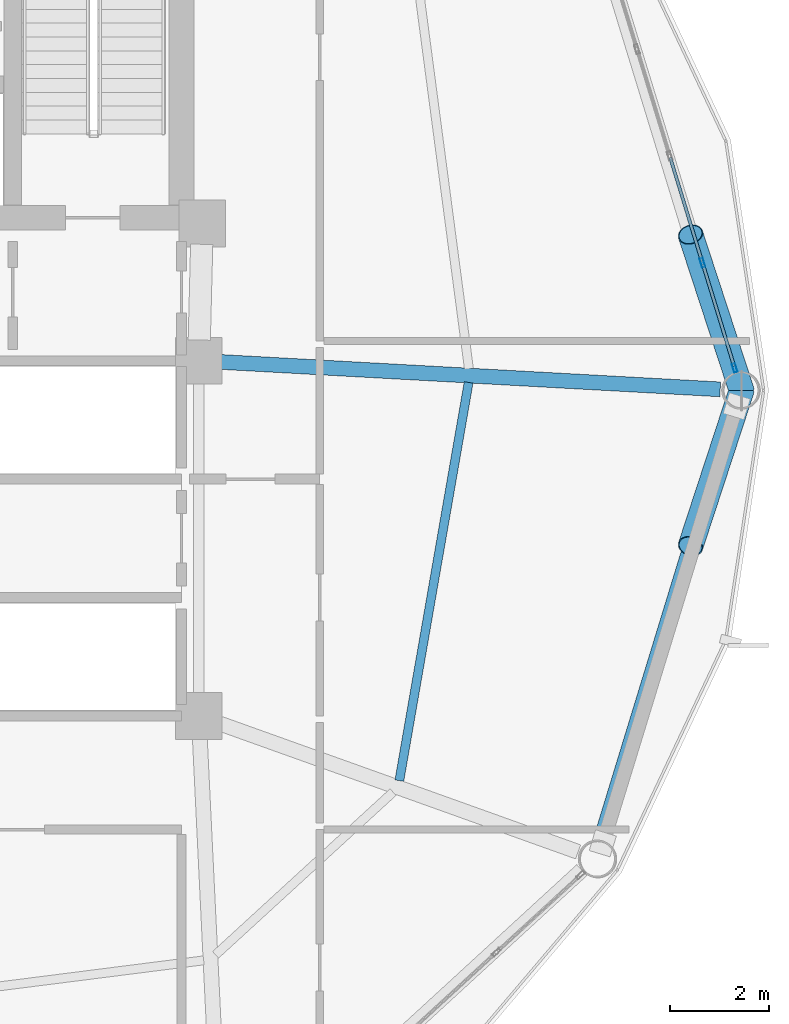
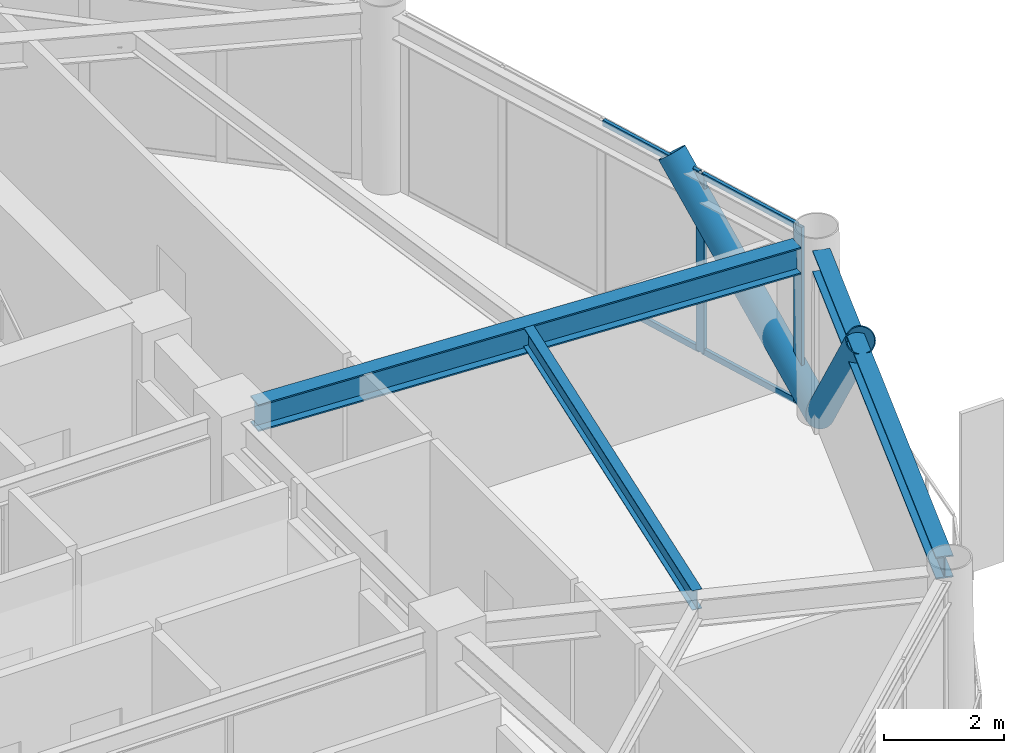
# One storey, part 14 of 25: 8 members, 3 beams, 1 element without a shape of its own.
"""IFC4 building model written with IfcOpenShell, lengths in metres."""

from ifc_helpers import new_model, si_unit, direction, frame, origin, origin_2d, place, context, subcontext, project, spatial, hollow_rectangle, hollow_circle, i_section, extrude, material, layer, layer_set, material_profile, profile_set, type_object, element, aggregate, save


model = new_model("IFC4")

# Units and contexts
model_context = context("Model", 3, precision=1e-05, world=origin(), true_north=direction((0.0, 1.0)))
body_context = subcontext(model_context, "Body", "Model", "MODEL_VIEW")
ifc_project = project(units=[si_unit("LENGTHUNIT", "METRE"), si_unit("AREAUNIT", "SQUARE_METRE"), si_unit("VOLUMEUNIT", "CUBIC_METRE"), si_unit("PLANEANGLEUNIT", "RADIAN"), si_unit("MASSUNIT", "GRAM", prefix="KILO")], contexts=[model_context])

# Site, building, storey
site_placement = place(None, origin())
site = spatial("IfcSite", under=ifc_project, at=site_placement, CompositionType="ELEMENT")
building_placement = place(site_placement, origin())
building = spatial("IfcBuilding", under=site, at=building_placement, Name="Varnakorn Sky Granary", CompositionType="ELEMENT")
storey_placement = place(building_placement, frame((0.0, 0.0, 146.10009765625)))
storey = spatial("IfcBuildingStorey", under=building, at=storey_placement, Name="L36", CompositionType="ELEMENT", Elevation=146.10009765625)

# Beams
ifc_material_1 = material(Name="Steel S355JR", Category="steel")
ifc_material_profile_1 = material_profile(ifc_material_1, i_section(OverallWidth=0.300048828125, OverallDepth=0.550048828125, WebThickness=0.014892578125, FlangeThickness=0.029052734375, at=origin_2d()), Name="HE 550 B")
ifc_profile_set_1 = profile_set([ifc_material_profile_1], Name="Steel S355JR")
beam_type_1 = type_object("IfcBeamType", Name="BM-RAD-Z3", PredefinedType="BEAM", material=ifc_profile_set_1)
beam_1_placement = place(storey_placement, frame((8.769287109375, 0.576904296875, 3.364990234375), z_axis=(0.99849774478, -0.054792824978, 0.0), x_axis=(0.054792824978, 0.99849774478, 0.0)))
element("IfcBeam", 1, at=beam_1_placement, inside=storey, type_object=beam_type_1, Name="Radial Floor Girder RG01 L36", PredefinedType="BEAM", context=body_context, shape_type="SweptSolid", body=[
    extrude(i_section(OverallWidth=0.300048828125, OverallDepth=0.550048828125, WebThickness=0.014892578125, FlangeThickness=0.029052734375, at=origin_2d()), origin(), (0.0, 0.0, 1.0), 10.16357421875),
])
ifc_material_profile_2 = material_profile(ifc_material_1, i_section(OverallWidth=0.179931640625, OverallDepth=0.39990234375, WebThickness=0.008544921875, FlangeThickness=0.013427734375, at=origin_2d()), Name="IPE 400")
ifc_profile_set_2 = profile_set([ifc_material_profile_2], Name="Steel S355JR")
beam_type_2 = type_object("IfcBeamType", Name="BM-SEC-Z3", PredefinedType="BEAM", material=ifc_profile_set_2)
beam_2_placement = place(storey_placement, frame((12.415283203125, -7.909423828125, 3.43994140625), z_axis=(0.171436767809, 0.985195125162, 0.0), x_axis=(-0.985195125162, 0.171436767809, 0.0)))
element("IfcBeam", 2, at=beam_2_placement, inside=storey, type_object=beam_type_2, Name="Secondary Floor Chord Beam MSB12 L36", PredefinedType="BEAM", context=body_context, shape_type="SweptSolid", body=[
    extrude(i_section(OverallWidth=0.179931640625, OverallDepth=0.39990234375, WebThickness=0.008544921875, FlangeThickness=0.013427734375, at=origin_2d()), origin(), (0.0, 0.0, 1.0), 8.19140625),
])
ifc_material_profile_3 = material_profile(ifc_material_1, i_section(OverallWidth=0.300048828125, OverallDepth=0.449951171875, WebThickness=0.013916015625, FlangeThickness=0.02587890625, at=origin_2d()), Name="HE 450 B")
ifc_profile_set_3 = profile_set([ifc_material_profile_3], Name="Steel S355JR")
beam_type_3 = type_object("IfcBeamType", Name="BM-SPD-Z3", PredefinedType="SPANDREL", material=ifc_profile_set_3)
beam_3_placement = place(storey_placement, frame((16.48876953125, -9.12646484375, 3.414794921875), z_axis=(0.292751000274, 0.956188711416, 0.0), x_axis=(-0.956188711416, 0.292751000274, 0.0)))
element("IfcBeam", 3, at=beam_3_placement, inside=storey, type_object=beam_type_3, Name="Perimeter Spandrel Ring Beam RB12 L36", PredefinedType="SPANDREL", context=body_context, shape_type="SweptSolid", body=[
    extrude(i_section(OverallWidth=0.300048828125, OverallDepth=0.449951171875, WebThickness=0.013916015625, FlangeThickness=0.02587890625, at=origin_2d()), origin(), (0.0, 0.0, 1.0), 9.178466796875),
])

# Curtain wall, members
ifc_material_2 = material(Name="Anodised Bronze Aluminium Alloy 6063-T6", Category="aluminium")
ifc_layer = layer(ifc_material_2, 0.179931640625, Name="Anodised Bronze Aluminium Alloy 6063-T6")
ifc_layer_set = layer_set([ifc_layer], Name="Anodised Bronze Aluminium Alloy 6063-T6")
curtain_wall_type = type_object("IfcCurtainWallType", Name="CW-FRM-2", PredefinedType="USERDEFINED", material=ifc_layer_set)
curtain_wall_placement = place(storey_placement, origin())
curtain_wall = element("IfcCurtainWall", 4, at=curtain_wall_placement, inside=storey, type_object=curtain_wall_type, Name="Unitised Curtain Wall CW4 CW-L36-B01", ObjectType="CURTAIN WALL", PredefinedType="USERDEFINED")
ifc_material_profile_4 = material_profile(ifc_material_2, hollow_rectangle(XDim=0.070068359375, YDim=0.18505859375, WallThickness=0.00390625, at=origin_2d()), Name="ALU MULL 70x185")
ifc_profile_set_4 = profile_set([ifc_material_profile_4], Name="Anodised Bronze Aluminium Alloy 6063-T6")
member_type_1 = type_object("IfcMemberType", Name="CW-FRM-2-MULL", PredefinedType="MULLION", material=ifc_profile_set_4)
member_1_placement = place(storey_placement, frame((18.557861328125, 2.5859375, 0.0), z_axis=(0.0, 0.0, 1.0), x_axis=(0.956145304488, 0.29289273925, 0.0)))
member_1 = element("IfcMember", 5, at=member_1_placement, type_object=member_type_1, Name="CW4 mullion 4", PredefinedType="MULLION", context=body_context, shape_type="SweptSolid", body=[
    extrude(hollow_rectangle(XDim=0.070068359375, YDim=0.18505859375, WallThickness=0.00390625, at=origin_2d()), origin(), (0.0, 0.0, 1.0), 3.639892578125),
])
member_2_placement = place(storey_placement, frame((19.21044921875, 0.455078125, 0.0), z_axis=(0.0, 0.0, 1.0), x_axis=(0.956145304488, 0.29289273925, 0.0)))
member_2 = element("IfcMember", 6, at=member_2_placement, type_object=member_type_1, Name="CW4 mullion 5", PredefinedType="MULLION", context=body_context, shape_type="SweptSolid", body=[
    extrude(hollow_rectangle(XDim=0.070068359375, YDim=0.18505859375, WallThickness=0.00390625, at=origin_2d()), origin(), (0.0, 0.0, 1.0), 3.639892578125),
])
ifc_material_profile_5 = material_profile(ifc_material_2, hollow_rectangle(XDim=0.06494140625, YDim=0.1201171875, WallThickness=0.00341796875, at=origin_2d()), Name="ALU TRAN 65x120")
ifc_profile_set_5 = profile_set([ifc_material_profile_5], Name="Anodised Bronze Aluminium Alloy 6063-T6")
member_type_2 = type_object("IfcMemberType", Name="CW-FRM-2-TRAN", PredefinedType="USERDEFINED", material=ifc_profile_set_5)
member_3_placement = place(storey_placement, frame((17.905029296875, 4.716796875, 0.032470703125), z_axis=(0.292928166271, -0.956134451531, 0.0), x_axis=(0.956134451531, 0.292928166271, 0.0)))
member_3 = element("IfcMember", 7, at=member_3_placement, type_object=member_type_2, Name="CW4 transom 3.1", ObjectType="TRANSOM", PredefinedType="USERDEFINED", context=body_context, shape_type="SweptSolid", body=[
    extrude(hollow_rectangle(XDim=0.06494140625, YDim=0.1201171875, WallThickness=0.00341796875, at=origin_2d()), origin(), (0.0, 0.0, 1.0), 2.193603515625),
])
member_4_placement = place(storey_placement, frame((17.905029296875, 4.716796875, 3.607421875), z_axis=(0.292928166271, -0.956134451531, 0.0), x_axis=(0.956134451531, 0.292928166271, 0.0)))
member_4 = element("IfcMember", 8, at=member_4_placement, type_object=member_type_2, Name="CW4 transom 3.2", ObjectType="TRANSOM", PredefinedType="USERDEFINED", context=body_context, shape_type="SweptSolid", body=[
    extrude(hollow_rectangle(XDim=0.06494140625, YDim=0.1201171875, WallThickness=0.00341796875, at=origin_2d()), origin(), (0.0, 0.0, 1.0), 2.193603515625),
])
member_5_placement = place(storey_placement, frame((18.568115234375, 2.552490234375, 0.032470703125), z_axis=(0.292821902644, -0.956167000755, 0.0), x_axis=(0.956167000755, 0.292821902644, 0.0)))
member_5 = element("IfcMember", 9, at=member_5_placement, type_object=member_type_2, Name="CW4 transom 4.1", ObjectType="TRANSOM", PredefinedType="USERDEFINED", context=body_context, shape_type="SweptSolid", body=[
    extrude(hollow_rectangle(XDim=0.06494140625, YDim=0.1201171875, WallThickness=0.00341796875, at=origin_2d()), origin(), (0.0, 0.0, 1.0), 2.15869140625),
])
member_6_placement = place(storey_placement, frame((18.568115234375, 2.552490234375, 3.607421875), z_axis=(0.292821902644, -0.956167000755, 0.0), x_axis=(0.956167000755, 0.292821902644, 0.0)))
member_6 = element("IfcMember", 10, at=member_6_placement, type_object=member_type_2, Name="CW4 transom 4.2", ObjectType="TRANSOM", PredefinedType="USERDEFINED", context=body_context, shape_type="SweptSolid", body=[
    extrude(hollow_rectangle(XDim=0.06494140625, YDim=0.1201171875, WallThickness=0.00341796875, at=origin_2d()), origin(), (0.0, 0.0, 1.0), 2.15869140625),
])
aggregate(curtain_wall, [member_1, member_2, member_3, member_4, member_5, member_6])

# Members
ifc_material_3 = material(Name="Steel S460M", Category="steel")
ifc_material_profile_6 = material_profile(ifc_material_3, hollow_circle(Radius=0.25390625, WallThickness=0.01806640625, at=origin_2d()), Name="CHS 508x18")
ifc_profile_set_6 = profile_set([ifc_material_profile_6], Name="Steel S460M")
member_type_3 = type_object("IfcMemberType", Name="MB-DIAG-T2", PredefinedType="BRACE", material=ifc_profile_set_6)
for number, where, z_axis, x_axis, name in (
    (11, (19.35009765625, 0.0, 0.0), (-0.205162866981, 0.62662822781, 0.751827947155), (-0.950359221114, -0.311154866335, 0.0), "Perimeter CHS Diagrid Brace DG01 L36"),
    (12, (19.35009765625, 0.0, 0.0), (-0.205162866981, -0.62662822781, 0.751827947155), (0.950359221114, -0.311154866335, 0.0), "Perimeter CHS Diagrid Brace DG12 L36"),
):
    element("IfcMember", number, at=place(storey_placement, frame(where, z_axis=z_axis, x_axis=x_axis)), inside=storey, type_object=member_type_3, Name=name, PredefinedType="BRACE", context=body_context, shape_type="SweptSolid", body=[
        extrude(hollow_circle(Radius=0.25390625, WallThickness=0.01806640625, at=origin_2d()), origin(), (0.0, 0.0, 1.0), 5.040771484375),
    ])

save(model, "model.ifc")
